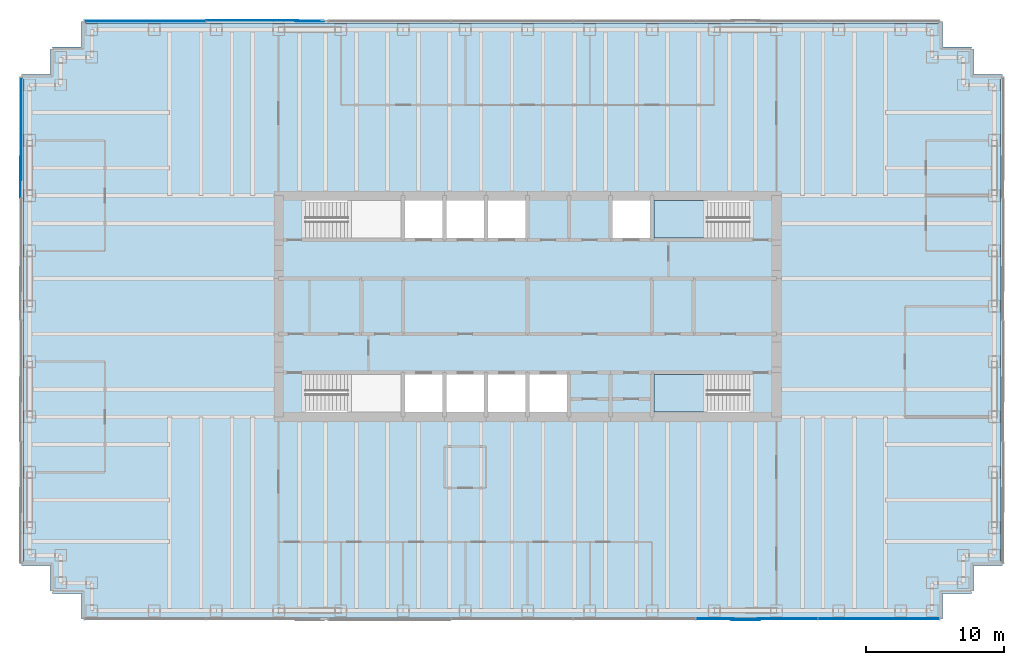
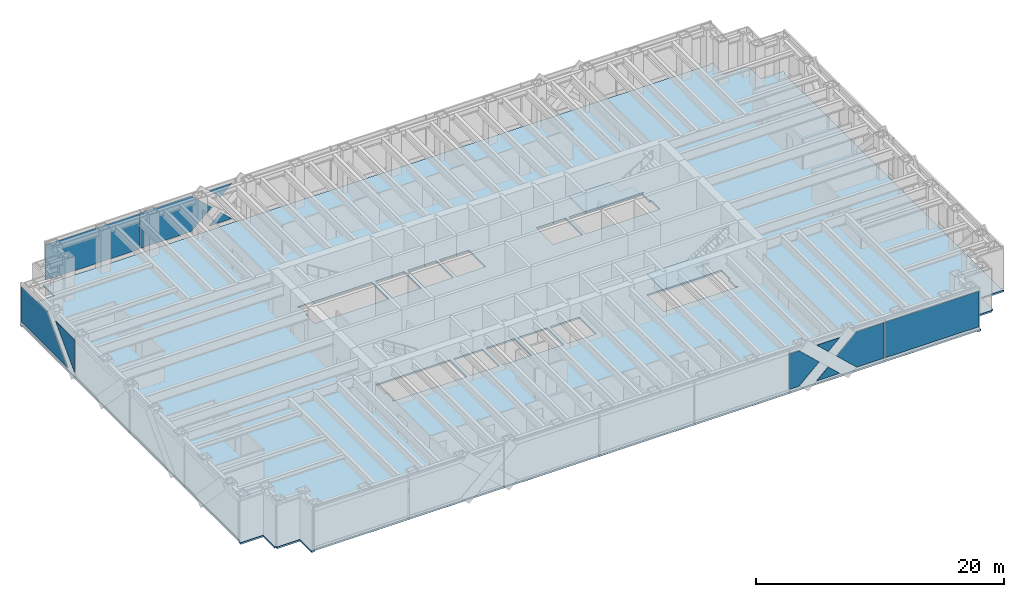
# One storey, part 11 of 17: 11 plates, 3 slabs, 5 elements without a shape of their own.
"""IFC4 building model written with IfcOpenShell, lengths in metres."""

from ifc_helpers import new_model, si_unit, direction, frame, origin, origin_2d, place, context, subcontext, project, spatial, polyline, rectangle, outline, extrude, material, layer, layer_set, type_object, element, aggregate, save


model = new_model("IFC4")

# Units and contexts
model_context = context("Model", 3, precision=1e-05, world=origin(), true_north=direction((0.0, 1.0)))
body_context = subcontext(model_context, "Body", "Model", "MODEL_VIEW")
ifc_project = project(units=[si_unit("LENGTHUNIT", "METRE"), si_unit("AREAUNIT", "SQUARE_METRE"), si_unit("VOLUMEUNIT", "CUBIC_METRE"), si_unit("PLANEANGLEUNIT", "RADIAN"), si_unit("MASSUNIT", "GRAM", prefix="KILO")], contexts=[model_context])

# Site, building, storey
site_placement = place(None, origin())
site = spatial("IfcSite", under=ifc_project, at=site_placement, CompositionType="ELEMENT")
building_placement = place(site_placement, origin())
building = spatial("IfcBuilding", under=site, at=building_placement, Name="Rheinbord Bourse Tower", CompositionType="ELEMENT")
storey_placement = place(building_placement, frame((0.0, 0.0, 287.89990234375)))
storey = spatial("IfcBuildingStorey", under=building, at=storey_placement, Name="L65", CompositionType="ELEMENT", Elevation=287.89990234375)

# Slab
ifc_material_1 = material(Name="Concrete C30/37", Category="concrete")
ifc_layer_1 = layer(ifc_material_1, 0.159912109375)
ifc_layer_set_1 = layer_set([ifc_layer_1], Name="COMPOSITE FLOOR SLAB 160")
slab_type_1 = type_object("IfcSlabType", Name="COMPOSITE FLOOR SLAB 160", PredefinedType="FLOOR", material=ifc_layer_set_1)
slab_1_placement = place(storey_placement, frame((0.0, 0.0, -0.159912109375)))
element("IfcSlab", 1, at=slab_1_placement, inside=storey, type_object=slab_type_1, Name="Floor slab L65", PredefinedType="FLOOR", context=body_context, shape_type="SweptSolid", body=[
    extrude(outline(polyline([(1.64990234375, 3.39990234375), (1.5, 3.39990234375), (1.5, 5.25), (-0.60009765625, 5.25), (-0.60009765625, 5.550048828125), (-0.5, 5.550048828125), (-0.5, 40.449951171875), (-0.60009765625, 40.449951171875), (-0.60009765625, 40.75), (1.5, 40.75), (1.5, 42.60009765625), (1.64990234375, 42.60009765625), (1.64990234375, 42.75), (3.75, 42.75), (3.75, 44.60009765625), (4.050048828125, 44.60009765625), (4.050048828125, 44.5), (65.699951171875, 44.5), (65.699951171875, 44.60009765625), (66.0, 44.60009765625), (66.0, 42.75), (68.10009765625, 42.75), (68.10009765625, 42.60009765625), (68.25, 42.60009765625), (68.25, 40.75), (70.35009765625, 40.75), (70.35009765625, 40.449951171875), (70.25, 40.449951171875), (70.25, 5.550048828125), (70.35009765625, 5.550048828125), (70.35009765625, 5.25), (68.25, 5.25), (68.25, 3.39990234375), (68.10009765625, 3.39990234375), (68.10009765625, 3.25), (66.0, 3.25), (66.0, 1.39990234375), (65.699951171875, 1.39990234375), (65.699951171875, 1.5), (4.050048828125, 1.5), (4.050048828125, 1.39990234375), (3.75, 1.39990234375), (3.75, 3.25), (1.64990234375, 3.25), (1.64990234375, 3.39990234375)]), holes=[polyline([(19.949951171875, 19.050048828125), (26.85009765625, 19.050048828125), (26.85009765625, 16.35009765625), (19.949951171875, 16.35009765625), (19.949951171875, 16.449951171875), (20.10009765625, 16.449951171875), (20.10009765625, 17.64990234375), (19.949951171875, 17.64990234375), (19.949951171875, 19.050048828125)]), polyline([(19.949951171875, 31.64990234375), (26.85009765625, 31.64990234375), (26.85009765625, 28.949951171875), (19.949951171875, 28.949951171875), (19.949951171875, 30.35009765625), (20.10009765625, 30.35009765625), (20.10009765625, 31.550048828125), (19.949951171875, 31.550048828125), (19.949951171875, 31.64990234375)]), polyline([(52.050048828125, 16.35009765625), (45.14990234375, 16.35009765625), (45.14990234375, 19.050048828125), (52.050048828125, 19.050048828125), (52.050048828125, 17.64990234375), (51.89990234375, 17.64990234375), (51.89990234375, 16.449951171875), (52.050048828125, 16.449951171875), (52.050048828125, 16.35009765625)]), polyline([(52.050048828125, 28.949951171875), (45.14990234375, 28.949951171875), (45.14990234375, 31.64990234375), (52.050048828125, 31.64990234375), (52.050048828125, 31.550048828125), (51.89990234375, 31.550048828125), (51.89990234375, 30.35009765625), (52.050048828125, 30.35009765625), (52.050048828125, 28.949951171875)]), polyline([(27.14990234375, 16.35009765625), (27.14990234375, 19.050048828125), (29.85009765625, 19.050048828125), (29.85009765625, 16.35009765625), (27.14990234375, 16.35009765625)]), polyline([(27.14990234375, 28.949951171875), (27.14990234375, 31.64990234375), (29.85009765625, 31.64990234375), (29.85009765625, 28.949951171875), (27.14990234375, 28.949951171875)]), polyline([(30.14990234375, 16.35009765625), (30.14990234375, 19.050048828125), (32.85009765625, 19.050048828125), (32.85009765625, 16.35009765625), (30.14990234375, 16.35009765625)]), polyline([(30.14990234375, 28.949951171875), (30.14990234375, 31.64990234375), (32.85009765625, 31.64990234375), (32.85009765625, 28.949951171875), (30.14990234375, 28.949951171875)]), polyline([(33.14990234375, 16.35009765625), (33.14990234375, 19.050048828125), (35.85009765625, 19.050048828125), (35.85009765625, 16.35009765625), (33.14990234375, 16.35009765625)]), polyline([(33.14990234375, 28.949951171875), (33.14990234375, 31.64990234375), (35.85009765625, 31.64990234375), (35.85009765625, 28.949951171875), (33.14990234375, 28.949951171875)]), polyline([(36.14990234375, 16.35009765625), (36.14990234375, 19.050048828125), (38.85009765625, 19.050048828125), (38.85009765625, 16.35009765625), (36.14990234375, 16.35009765625)]), polyline([(42.14990234375, 28.949951171875), (42.14990234375, 31.64990234375), (44.85009765625, 31.64990234375), (44.85009765625, 28.949951171875), (42.14990234375, 28.949951171875)])]), origin(), (0.0, 0.0, 1.0), 0.159912109375),
])

# Curtain wall, plates
ifc_material_2 = material(Name="Dark glass and black aluminium", Category="aluminium")
curtain_wall_type = type_object("IfcCurtainWallType", Name="CW3 DARK GLASS CURTAIN WALL", PredefinedType="USERDEFINED", material=ifc_material_2)
curtain_wall_1_placement = place(storey_placement, origin())
curtain_wall_1 = element("IfcCurtainWall", 2, at=curtain_wall_1_placement, inside=storey, type_object=curtain_wall_type, Name="Curtain wall CW3 S L65", ObjectType="UNITISED CURTAIN WALL", PredefinedType="USERDEFINED")
ifc_material_3 = material(Name="Dark tinted triple insulating glass", Category="glass")
ifc_layer_2 = layer(ifc_material_3, 0.055908203125)
ifc_layer_set_2 = layer_set([ifc_layer_2], Name="CW3 DARK GLASS PANEL")
plate_type = type_object("IfcPlateType", Name="CW3 DARK GLASS PANEL", PredefinedType="CURTAIN_PANEL", material=ifc_layer_set_2)
plate_1_placement = place(storey_placement, frame((61.40869140625, 1.39990234375, 0.35009765625), z_axis=(0.0, 0.0, 1.0), x_axis=(1.0, 0.0, 0.0)))
plate_1 = element("IfcPlate", 3, at=plate_1_placement, type_object=plate_type, Name="CW3 panel 7.1", PredefinedType="CURTAIN_PANEL", context=body_context, shape_type="SweptSolid", body=[
    extrude(rectangle(XDim=8.75244140625, YDim=0.055908203125, at=origin_2d()), origin(), (0.0, 0.0, 1.0), 3.5),
])
plate_2_placement = place(storey_placement, frame((48.181884765625, 1.3720703125, 0.35009765625), z_axis=(0.0, 1.0, 0.0), x_axis=(0.0, 0.0, 1.0)))
plate_2 = element("IfcPlate", 4, at=plate_2_placement, type_object=plate_type, Name="CW3 glass facet 1", PredefinedType="CURTAIN_PANEL", context=body_context, shape_type="SweptSolid", body=[
    extrude(outline(polyline([(0.0, 0.0), (3.5, 0.0), (3.5, 0.881103515625), (1.75, 2.756103515625), (0.0, 0.881103515625), (0.0, 0.0)])), origin(), (0.0, 0.0, 1.0), 0.055908203125),
])
plate_3_placement = place(storey_placement, frame((50.68701171875, 1.31103515625, 0.35009765625), z_axis=(0.0, 1.0, 0.0), x_axis=(0.731116689111, 0.0, 0.682252436348)))
plate_3 = element("IfcPlate", 5, at=plate_3_placement, type_object=plate_type, Name="CW3 glass facet 2", PredefinedType="CURTAIN_PANEL", context=body_context, shape_type="SweptSolid", body=[
    extrude(outline(polyline([(0.0, 0.0), (1.453857421875, 0.0), (1.554443359375, 1.450439453125), (0.0, 0.0)])), origin(), (0.0, 0.0, 1.0), 0.055908203125),
])
plate_4_placement = place(storey_placement, frame((52.81298828125, 1.31103515625, 3.85009765625), z_axis=(0.0, 1.0, 0.0), x_axis=(-0.731116689111, 0.0, -0.682252436348)))
plate_4 = element("IfcPlate", 6, at=plate_4_placement, type_object=plate_type, Name="CW3 glass facet 3", PredefinedType="CURTAIN_PANEL", context=body_context, shape_type="SweptSolid", body=[
    extrude(outline(polyline([(0.0, 0.0), (1.453857421875, 0.0), (1.554443359375, 1.450439453125), (0.0, 0.0)])), origin(), (0.0, 0.0, 1.0), 0.055908203125),
])
plate_5_placement = place(storey_placement, frame((56.967041015625, 1.3720703125, 3.85009765625), z_axis=(0.0, 1.0, 0.0), x_axis=(0.0, 0.0, -1.0)))
plate_5 = element("IfcPlate", 7, at=plate_5_placement, type_object=plate_type, Name="CW3 glass facet 4", PredefinedType="CURTAIN_PANEL", context=body_context, shape_type="SweptSolid", body=[
    extrude(outline(polyline([(0.0, 0.0), (3.5, 0.0), (3.5, 2.530029296875), (1.75, 4.405029296875), (0.0, 2.530029296875), (0.0, 0.0)])), origin(), (0.0, 0.0, 1.0), 0.055908203125),
])
aggregate(curtain_wall_1, [plate_1, plate_2, plate_3, plate_4, plate_5])

curtain_wall_2_placement = place(storey_placement, origin())
curtain_wall_2 = element("IfcCurtainWall", 8, at=curtain_wall_2_placement, inside=storey, type_object=curtain_wall_type, Name="Curtain wall CW3 N L65", ObjectType="UNITISED CURTAIN WALL", PredefinedType="USERDEFINED")
plate_6_placement = place(storey_placement, frame((8.34130859375, 44.60009765625, 0.35009765625), z_axis=(0.0, 0.0, 1.0), x_axis=(-1.0, 0.0, 0.0)))
plate_6 = element("IfcPlate", 9, at=plate_6_placement, type_object=plate_type, Name="CW3 panel 7.1", PredefinedType="CURTAIN_PANEL", context=body_context, shape_type="SweptSolid", body=[
    extrude(rectangle(XDim=8.75244140625, YDim=0.055908203125, at=origin_2d()), origin(), (0.0, 0.0, 1.0), 3.5),
])
plate_7_placement = place(storey_placement, frame((21.31298828125, 44.6279296875, 0.35009765625), z_axis=(0.0, -1.0, 0.0), x_axis=(-0.731116689111, 0.0, 0.682252436348)))
plate_7 = element("IfcPlate", 10, at=plate_7_placement, type_object=plate_type, Name="CW3 glass facet 2", PredefinedType="CURTAIN_PANEL", context=body_context, shape_type="SweptSolid", body=[
    extrude(outline(polyline([(0.0, 0.0), (1.453857421875, 0.0), (1.554443359375, 1.450439453125), (0.0, 0.0)])), origin(), (0.0, 0.0, 1.0), 0.055908203125),
])
plate_8_placement = place(storey_placement, frame((19.18701171875, 44.6279296875, 3.85009765625), z_axis=(0.0, -1.0, 0.0), x_axis=(0.731116689111, 0.0, -0.682252436348)))
plate_8 = element("IfcPlate", 11, at=plate_8_placement, type_object=plate_type, Name="CW3 glass facet 3", PredefinedType="CURTAIN_PANEL", context=body_context, shape_type="SweptSolid", body=[
    extrude(outline(polyline([(0.0, 0.0), (1.453857421875, 0.0), (1.554443359375, 1.450439453125), (0.0, 0.0)])), origin(), (0.0, 0.0, 1.0), 0.055908203125),
])
plate_9_placement = place(storey_placement, frame((12.781982421875, 44.68896484375, 3.85009765625), z_axis=(0.0, -1.0, 0.0), x_axis=(0.0, 0.0, -1.0)))
plate_9 = element("IfcPlate", 12, at=plate_9_placement, type_object=plate_type, Name="CW3 glass facet 4", PredefinedType="CURTAIN_PANEL", context=body_context, shape_type="SweptSolid", body=[
    extrude(outline(polyline([(0.0, 0.0), (3.5, 0.0), (3.5, 4.781005859375), (1.75, 6.656005859375), (0.0, 4.781005859375), (0.0, 0.0)])), origin(), (0.0, 0.0, 1.0), 0.055908203125),
])
aggregate(curtain_wall_2, [plate_6, plate_7, plate_8, plate_9])

curtain_wall_3_placement = place(storey_placement, origin())
curtain_wall_3 = element("IfcCurtainWall", 13, at=curtain_wall_3_placement, inside=storey, type_object=curtain_wall_type, Name="Curtain wall CW3 W L65", ObjectType="UNITISED CURTAIN WALL", PredefinedType="USERDEFINED")
plate_10_placement = place(storey_placement, frame((-0.6279296875, 40.534912109375, 0.35009765625), z_axis=(1.0, 0.0, 0.0), x_axis=(0.0, 0.0, 1.0)))
plate_10 = element("IfcPlate", 14, at=plate_10_placement, type_object=plate_type, Name="CW3 glass facet 1", PredefinedType="CURTAIN_PANEL", context=body_context, shape_type="SweptSolid", body=[
    extrude(outline(polyline([(0.0, 0.0), (3.5, 0.0), (3.5, 4.10302734375), (0.0, 7.43701171875), (0.0, 0.0)])), origin(), (0.0, 0.0, 1.0), 0.055908203125),
])
plate_11_placement = place(storey_placement, frame((-0.68896484375, 31.8330078125, 3.85009765625), z_axis=(1.0, 0.0, 0.0), x_axis=(0.0, 0.0, -1.0)))
plate_11 = element("IfcPlate", 15, at=plate_11_placement, type_object=plate_type, Name="CW3 glass facet 2", PredefinedType="CURTAIN_PANEL", context=body_context, shape_type="SweptSolid", body=[
    extrude(outline(polyline([(0.0, 0.0), (3.222900390625, 0.0), (0.0, 3.069091796875), (0.0, 0.0)])), origin(), (0.0, 0.0, 1.0), 0.055908203125),
])
aggregate(curtain_wall_3, [plate_10, plate_11])

# Stair, slab
ifc_material_4 = material(Name="Concrete C30/37", Category="concrete")
stair_type = type_object("IfcStairType", Name="CORE STAIR HALF TURN 4200", PredefinedType="HALF_TURN_STAIR", material=ifc_material_4)
stair_1_placement = place(storey_placement, origin())
stair_1 = element("IfcStair", 16, at=stair_1_placement, inside=storey, type_object=stair_type, Name="Stair ST3 L65, type CS6", PredefinedType="HALF_TURN_STAIR")
ifc_material_5 = material(Name="Concrete C30/37", Category="concrete")
ifc_layer_3 = layer(ifc_material_5, 0.199951171875)
ifc_layer_set_3 = layer_set([ifc_layer_3], Name="STAIR LANDING 200")
slab_type_2 = type_object("IfcSlabType", Name="STAIR LANDING 200", PredefinedType="LANDING", material=ifc_layer_set_3)
slab_2_placement = place(storey_placement, frame((0.0, 0.0, 1.900146484375)))
slab_2 = element("IfcSlab", 17, at=slab_2_placement, type_object=slab_type_2, Name="Half landing ST3 L65", PredefinedType="LANDING", context=body_context, shape_type="SweptSolid", body=[
    extrude(outline(polyline([(45.14990234375, 16.35009765625), (48.969970703125, 16.35009765625), (48.969970703125, 17.85009765625), (50.251953125, 17.85009765625), (50.251953125, 19.050048828125), (45.14990234375, 19.050048828125), (45.14990234375, 16.35009765625)])), origin(), (0.0, 0.0, 1.0), 0.199951171875),
])
aggregate(stair_1, [slab_2])

stair_2_placement = place(storey_placement, origin())
stair_2 = element("IfcStair", 18, at=stair_2_placement, inside=storey, type_object=stair_type, Name="Stair ST4 L65, type CS6", PredefinedType="HALF_TURN_STAIR")
slab_3_placement = place(storey_placement, frame((0.0, 0.0, 1.900146484375)))
slab_3 = element("IfcSlab", 19, at=slab_3_placement, type_object=slab_type_2, Name="Half landing ST4 L65", PredefinedType="LANDING", context=body_context, shape_type="SweptSolid", body=[
    extrude(outline(polyline([(45.14990234375, 28.949951171875), (50.251953125, 28.949951171875), (50.251953125, 30.14990234375), (48.969970703125, 30.14990234375), (48.969970703125, 31.64990234375), (45.14990234375, 31.64990234375), (45.14990234375, 28.949951171875)])), origin(), (0.0, 0.0, 1.0), 0.199951171875),
])
aggregate(stair_2, [slab_3])

save(model, "model.ifc")
